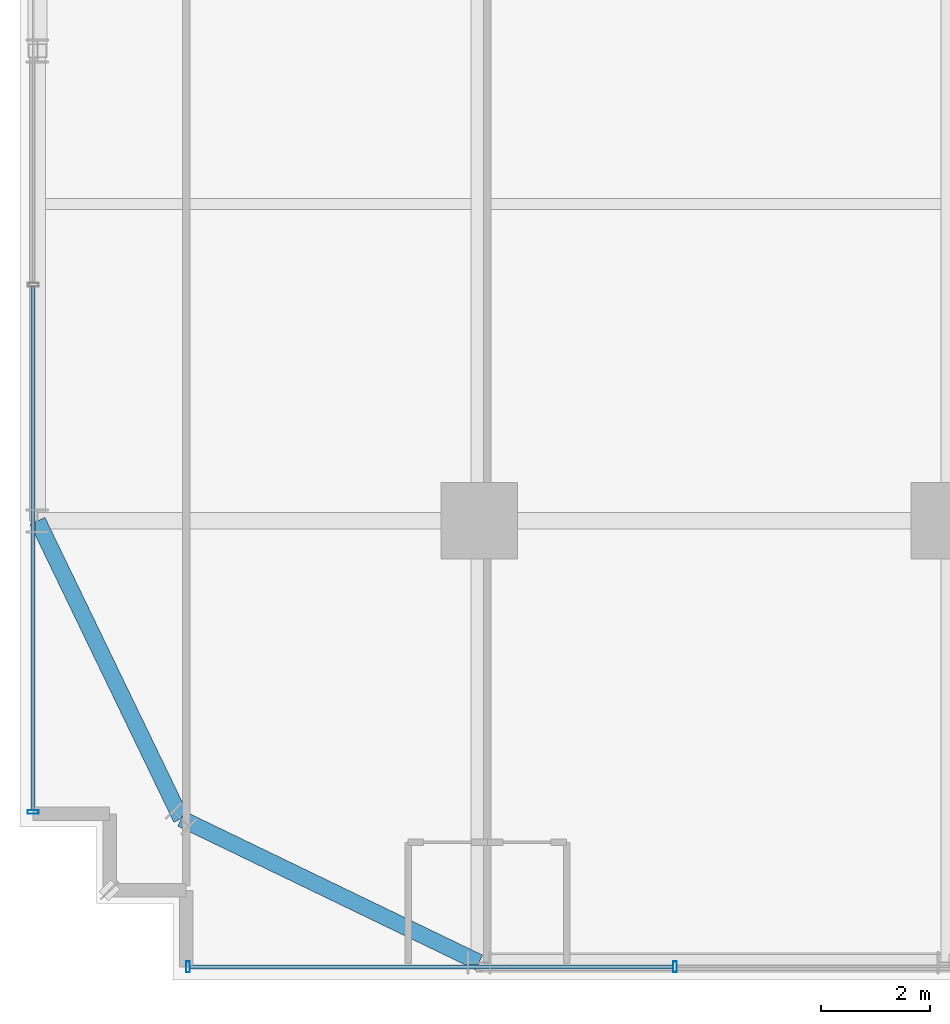
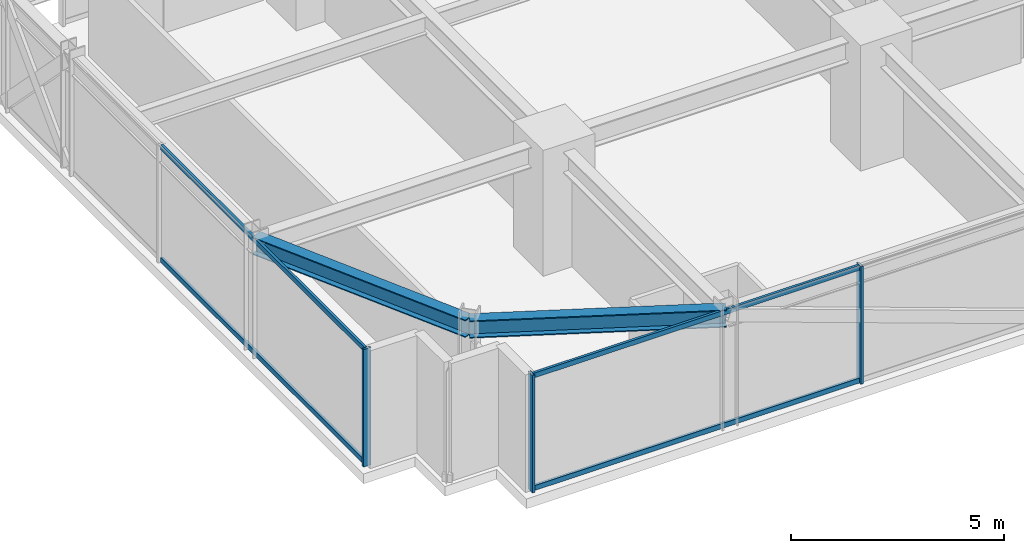
# One storey, part 3 of 47: 7 members, 2 beams, 2 elements without a shape of their own.
"""IFC4 building model written with IfcOpenShell, lengths in metres."""

from ifc_helpers import new_model, si_unit, direction, frame, origin, origin_2d, place, context, subcontext, project, spatial, hollow_rectangle, i_section, extrude, source, transform, mapped, material, material_profile, profile_set, type_object, element, aggregate, save


model = new_model("IFC4")

# Units and contexts
model_context = context("Model", 3, precision=1e-05, world=origin(), true_north=direction((0.0, 1.0)))
body_context = subcontext(model_context, "Body", "Model", "MODEL_VIEW")
ifc_project = project(units=[si_unit("LENGTHUNIT", "METRE"), si_unit("AREAUNIT", "SQUARE_METRE"), si_unit("VOLUMEUNIT", "CUBIC_METRE"), si_unit("PLANEANGLEUNIT", "RADIAN"), si_unit("MASSUNIT", "GRAM", prefix="KILO")], contexts=[model_context])

# Site, building, storey
site_placement = place(None, origin())
site = spatial("IfcSite", under=ifc_project, at=site_placement, CompositionType="ELEMENT")
building_placement = place(site_placement, origin())
building = spatial("IfcBuilding", under=site, at=building_placement, Name="Nahalor Promenade Grand Hotel", CompositionType="ELEMENT")
storey_placement = place(building_placement, frame((0.0, 0.0, 68.89990234375)))
storey = spatial("IfcBuildingStorey", under=building, at=storey_placement, Name="L16", CompositionType="ELEMENT", Elevation=68.89990234375)

# Beams
ifc_material_1 = material(Name="Steel S355JR", Category="steel")
ifc_material_profile_1 = material_profile(ifc_material_1, i_section(OverallWidth=0.3, OverallDepth=0.5, WebThickness=0.0145, FlangeThickness=0.028, at=origin_2d()), Name="HEB 500")
ifc_profile_set_1 = profile_set([ifc_material_profile_1], Name="Steel S355JR")
beam_type = type_object("IfcBeamType", Name="Beam-Spandrel-HEB500", PredefinedType="SPANDREL", material=ifc_profile_set_1)
shared_shape_1 = source(origin(), body_context, "Body", "SweptSolid", [
    extrude(i_section(OverallWidth=0.3, OverallDepth=0.5, WebThickness=0.0145, FlangeThickness=0.028, at=origin_2d()), origin(), (0.0, 0.0, 1.0), 6.051513671875),
])
for number, where, z_axis, x_axis, name in (
    (1, (-17.0, -25.080078125, 3.1201171875), (-0.900608818852, 0.434630596492, 0.0), (-0.434630596492, -0.900608818852, 0.0), "BM-L16-SPC-SW-1"),
    (2, (-22.449951171875, -22.449951171875, 3.1201171875), (-0.434630596492, 0.900608818852, 0.0), (-0.900608818852, -0.434630596492, 0.0), "BM-L16-SPC-SW-2"),
):
    element("IfcBeam", number, at=place(storey_placement, frame(where, z_axis=z_axis, x_axis=x_axis)), inside=storey, type_object=beam_type, Name=name, PredefinedType="SPANDREL", context=body_context, shape_type="MappedRepresentation", body=[
        mapped(shared_shape_1, transform((0.0, 0.0, 0.0), scale=1.0)),
    ])

# Curtain wall, members
ifc_material_2 = material(Name="Anodised Bronze Aluminium EN AW-6063 T6", Category="aluminium")
curtain_wall_type = type_object("IfcCurtainWallType", Name="CW3 Elliptical-Void Collar Unitised Curtain Wall", PredefinedType="USERDEFINED", material=ifc_material_2)
curtain_wall_1_placement = place(storey_placement, origin())
curtain_wall_1 = element("IfcCurtainWall", 3, at=curtain_wall_1_placement, inside=storey, type_object=curtain_wall_type, Name="L16 Curtain Wall CW-L16-S-1", ObjectType="UNITISED_CURTAIN_WALL", PredefinedType="USERDEFINED")
ifc_material_profile_2 = material_profile(ifc_material_2, hollow_rectangle(XDim=0.07, YDim=0.14, WallThickness=0.004, at=origin_2d()), Name="CWT 70x140x4")
ifc_profile_set_2 = profile_set([ifc_material_profile_2], Name="Anodised Bronze Aluminium EN AW-6063 T6")
member_type_1 = type_object("IfcMemberType", Name="CWT3 Void Collar Transom 70x140", PredefinedType="USERDEFINED", material=ifc_profile_set_2)
shared_shape_2 = source(origin(), body_context, "Body", "SweptSolid", [
    extrude(hollow_rectangle(XDim=0.07, YDim=0.14, WallThickness=0.004, at=origin_2d()), origin(), (0.0, 0.0, 1.0), 8.839111328125),
])
member_1_placement = place(storey_placement, frame((-22.2900390625, -25.159912109375, 0.070068359375), z_axis=(1.0, 0.0, 0.0), x_axis=(0.0, 1.0, 0.0)))
member_1 = element("IfcMember", 4, at=member_1_placement, type_object=member_type_1, Name="CW-L16-S-1 Transom 0-0", ObjectType="TRANSOM", PredefinedType="USERDEFINED", context=body_context, shape_type="MappedRepresentation", body=[
    mapped(shared_shape_2, transform((0.0, 0.0, 0.0), scale=1.0)),
])
member_2_placement = place(storey_placement, frame((-22.2900390625, -25.159912109375, 3.300048828125), z_axis=(1.0, 0.0, 0.0), x_axis=(0.0, 1.0, 0.0)))
member_2 = element("IfcMember", 5, at=member_2_placement, type_object=member_type_1, Name="CW-L16-S-1 Transom 0-1", ObjectType="TRANSOM", PredefinedType="USERDEFINED", context=body_context, shape_type="MappedRepresentation", body=[
    mapped(shared_shape_2, transform((0.0, 0.0, 0.0), scale=1.0)),
])

curtain_wall_2_placement = place(storey_placement, origin())
curtain_wall_2 = element("IfcCurtainWall", 6, at=curtain_wall_2_placement, inside=storey, type_object=curtain_wall_type, Name="L16 Curtain Wall CW-L16-W-1", ObjectType="UNITISED_CURTAIN_WALL", PredefinedType="USERDEFINED")
shared_shape_3 = source(origin(), body_context, "Body", "SweptSolid", [
    extrude(hollow_rectangle(XDim=0.07, YDim=0.14, WallThickness=0.004, at=origin_2d()), origin(), (0.0, 0.0, 1.0), 9.575439453125),
])
member_3_placement = place(storey_placement, frame((-25.159912109375, -22.2900390625, 0.070068359375), z_axis=(0.0, 1.0, 0.0), x_axis=(-1.0, 0.0, 0.0)))
member_3 = element("IfcMember", 7, at=member_3_placement, type_object=member_type_1, Name="CW-L16-W-1 Transom 0-0", ObjectType="TRANSOM", PredefinedType="USERDEFINED", context=body_context, shape_type="MappedRepresentation", body=[
    mapped(shared_shape_3, transform((0.0, 0.0, 0.0), scale=1.0)),
])
member_4_placement = place(storey_placement, frame((-25.159912109375, -22.2900390625, 3.300048828125), z_axis=(0.0, 1.0, 0.0), x_axis=(-1.0, 0.0, 0.0)))
member_4 = element("IfcMember", 8, at=member_4_placement, type_object=member_type_1, Name="CW-L16-W-1 Transom 0-1", ObjectType="TRANSOM", PredefinedType="USERDEFINED", context=body_context, shape_type="MappedRepresentation", body=[
    mapped(shared_shape_3, transform((0.0, 0.0, 0.0), scale=1.0)),
])

# Member
ifc_material_profile_3 = material_profile(ifc_material_2, hollow_rectangle(XDim=0.07, YDim=0.2, WallThickness=0.005, at=origin_2d()), Name="CWM 70x200x5")
ifc_profile_set_3 = profile_set([ifc_material_profile_3], Name="Anodised Bronze Aluminium EN AW-6063 T6")
member_type_2 = type_object("IfcMemberType", Name="CWM3 Void Collar Mullion 70x200", PredefinedType="MULLION", material=ifc_profile_set_3)
shared_shape_4 = source(origin(), body_context, "Body", "SweptSolid", [
    extrude(hollow_rectangle(XDim=0.07, YDim=0.2, WallThickness=0.005, at=origin_2d()), origin(), (0.0, 0.0, 1.0), 3.3701171875),
])
member_5_placement = place(storey_placement, frame((-22.324951171875, -25.159912109375, 0.0), z_axis=(0.0, 0.0, 1.0), x_axis=(1.0, 0.0, 0.0)))
member_5 = element("IfcMember", 9, at=member_5_placement, type_object=member_type_2, Name="CW-L16-S-1 Mullion 0", PredefinedType="MULLION", context=body_context, shape_type="MappedRepresentation", body=[
    mapped(shared_shape_4, transform((0.0, 0.0, 0.0), scale=1.0)),
])

member_6_placement = place(storey_placement, frame((-13.416015625, -25.159912109375, 0.0), z_axis=(0.0, 0.0, 1.0), x_axis=(1.0, 0.0, 0.0)))
member_6 = element("IfcMember", 10, at=member_6_placement, type_object=member_type_2, Name="CW-L16-S-1 Mullion 1", PredefinedType="MULLION", context=body_context, shape_type="MappedRepresentation", body=[
    mapped(shared_shape_4, transform((0.0, 0.0, 0.0), scale=1.0)),
])

aggregate(curtain_wall_1, [member_5, member_6, member_1, member_2])

member_7_placement = place(storey_placement, frame((-25.159912109375, -22.324951171875, 0.0), z_axis=(0.0, 0.0, 1.0), x_axis=(0.0, 1.0, 0.0)))
member_7 = element("IfcMember", 11, at=member_7_placement, type_object=member_type_2, Name="CW-L16-W-1 Mullion 0", PredefinedType="MULLION", context=body_context, shape_type="MappedRepresentation", body=[
    mapped(shared_shape_4, transform((0.0, 0.0, 0.0), scale=1.0)),
])

aggregate(curtain_wall_2, [member_7, member_3, member_4])

save(model, "model.ifc")
